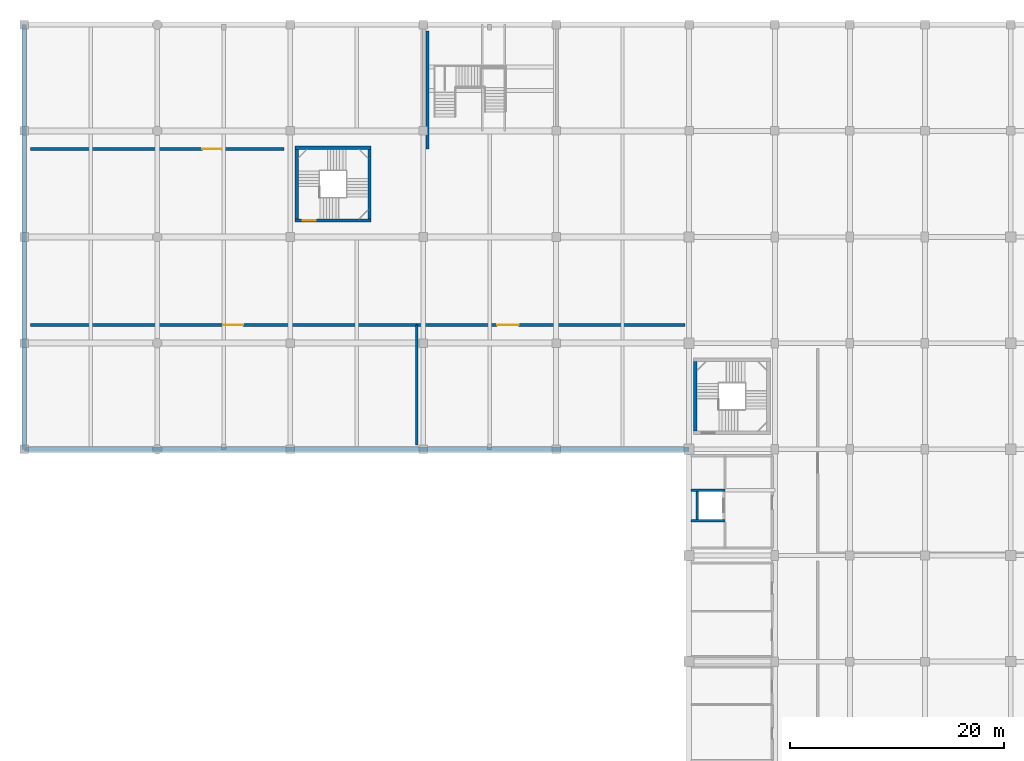
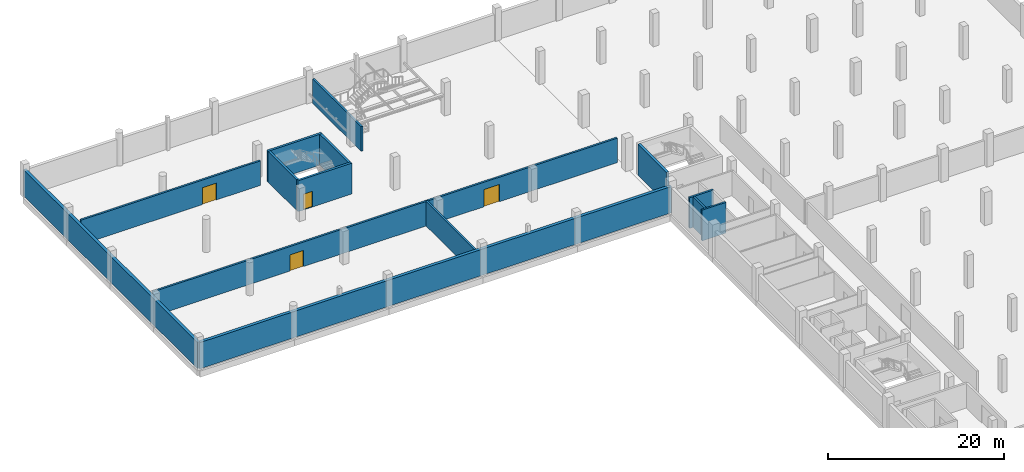
# One storey, part 12 of 32: 15 walls, 4 doors, 4 openings.
"""IFC4 building model written with IfcOpenShell, lengths in metres."""

from ifc_helpers import new_model, si_unit, direction, frame, frame_2d, origin, place, context, subcontext, project, spatial, rectangle, extrude, material, layer, layer_set, type_object, element, fill, save


model = new_model("IFC4")

# Units and contexts
model_context = context("Model", 3, precision=1e-05, world=origin(), true_north=direction((0.0, 1.0)))
body_context = subcontext(model_context, "Body", "Model", "MODEL_VIEW")
ifc_project = project(units=[si_unit("LENGTHUNIT", "METRE"), si_unit("AREAUNIT", "SQUARE_METRE"), si_unit("VOLUMEUNIT", "CUBIC_METRE"), si_unit("PLANEANGLEUNIT", "RADIAN"), si_unit("MASSUNIT", "GRAM", prefix="KILO")], contexts=[model_context])

# Site, building, storey
site_placement = place(None, origin())
site = spatial("IfcSite", under=ifc_project, at=site_placement, CompositionType="ELEMENT")
building_placement = place(site_placement, origin())
building = spatial("IfcBuilding", under=site, at=building_placement, Name="Sillaruma Civic Art Gallery", CompositionType="ELEMENT")
storey_placement = place(building_placement, frame((0.0, 0.0, -4.590087890625)))
storey = spatial("IfcBuildingStorey", under=building, at=storey_placement, Name="B01", CompositionType="ELEMENT", Elevation=-4.590087890625)

# Wall, opening, door
ifc_material_1 = material(Name="Concrete H40 (40 MPa)", Category="concrete")
ifc_layer_1 = layer(ifc_material_1, 0.300048828125, Name="Concrete H40 (40 MPa)")
ifc_layer_set_1 = layer_set([ifc_layer_1], Name="Concrete H40 (40 MPa)")
wall_type_1 = type_object("IfcWallType", Name="WAL-CORE-300", PredefinedType="SHEAR", material=ifc_layer_set_1)
wall_1_placement = place(storey_placement, frame((25.260009765625, 100.550048828125, 0.0), z_axis=(0.0, 0.0, 1.0), x_axis=(1.0, 0.0, 0.0)))
wall_1 = element("IfcWall", 1, at=wall_1_placement, inside=storey, type_object=wall_type_1, Name="Stair Core Shear Wall W-CORE-300 (ST-01:B01:S)", PredefinedType="SHEAR", context=body_context, shape_type="SweptSolid", body=[
    extrude(rectangle(XDim=7.080078125, YDim=0.300048828125, at=frame_2d((3.5400390625, 0.0))), origin(), (0.0, 0.0, 1.0), 4.2900390625),
])
opening_1_placement = place(wall_1_placement, frame((0.719970703125, 0.0, 0.0)))
opening_1 = element("IfcOpeningElement", 2, at=opening_1_placement, cuts=wall_1, Name="Opening D-STAIR", PredefinedType="OPENING", context=body_context, shape_type="SweptSolid", body=[
    extrude(rectangle(XDim=1.199951171875, YDim=2.199951171875, at=frame_2d((0.60009765625, 1.10009765625))), frame((0.0, 0.159912109375, 0.0), z_axis=(0.0, -1.0, 0.0), x_axis=(1.0, 0.0, 0.0)), (0.0, 0.0, 1.0), 0.320068359375),
])
ifc_material_2 = material(Name="Galvanised Steel ASTM A653 Gr.50", Category="steel")
door_type_1 = type_object("IfcDoorType", Name="DOR-STAIR-120", OperationType="NOTDEFINED", PredefinedType="DOOR", material=ifc_material_2)
door_1_placement = place(opening_1_placement, origin())
door_1 = element("IfcDoor", 3, at=door_1_placement, inside=storey, type_object=door_type_1, Name="Protected Stair Fire Door (ST-01:B01)", OperationType="SINGLE_SWING_LEFT", OverallHeight=2.199951171875, OverallWidth=1.199951171875, PredefinedType="DOOR", context=body_context, shape_type="SweptSolid", body=[
    extrude(rectangle(XDim=1.199951171875, YDim=2.199951171875, at=frame_2d((0.60009765625, 1.10009765625))), frame((0.0, 0.02490234375, 0.0), z_axis=(0.0, -1.0, 0.0), x_axis=(1.0, 0.0, 0.0)), (0.0, 0.0, 1.0), 0.050048828125),
])
fill(opening_1, door_1)

# Walls
wall_2_placement = place(storey_placement, frame((25.260009765625, 107.330078125, 0.0), z_axis=(0.0, 0.0, 1.0), x_axis=(1.0, 0.0, 0.0)))
element("IfcWall", 4, at=wall_2_placement, inside=storey, type_object=wall_type_1, Name="Stair Core Shear Wall W-CORE-300 (ST-01:B01:N)", PredefinedType="SHEAR", context=body_context, shape_type="SweptSolid", body=[
    extrude(rectangle(XDim=7.080078125, YDim=0.300048828125, at=frame_2d((3.5400390625, 0.0))), origin(), (0.0, 0.0, 1.0), 4.2900390625),
])
for number, where, z_axis, x_axis, name in (
    (5, (25.409912109375, 100.699951171875, 0.0), (0.0, 0.0, 1.0), (0.0, 1.0, 0.0), "Stair Core Shear Wall W-CORE-300 (ST-01:B01:W)"),
    (6, (32.18994140625, 100.699951171875, 0.0), (0.0, 0.0, 1.0), (0.0, 1.0, 0.0), "Stair Core Shear Wall W-CORE-300 (ST-01:B01:E)"),
):
    element("IfcWall", number, at=place(storey_placement, frame(where, z_axis=z_axis, x_axis=x_axis)), inside=storey, type_object=wall_type_1, Name=name, PredefinedType="SHEAR", context=body_context, shape_type="SweptSolid", body=[
        extrude(rectangle(XDim=6.47998046875, YDim=0.300048828125, at=frame_2d((3.239990234375, 0.0))), origin(), (0.0, 0.0, 1.0), 4.2900390625),
    ])
ifc_layer_2 = layer(ifc_material_1, 0.35009765625, Name="Concrete H40 (40 MPa)")
ifc_layer_set_2 = layer_set([ifc_layer_2], Name="Concrete H40 (40 MPa)")
wall_type_2 = type_object("IfcWallType", Name="WAL-CORE-350", PredefinedType="SHEAR", material=ifc_layer_set_2)
wall_3_placement = place(storey_placement, frame((62.5849609375, 80.909912109375, 0.0), z_axis=(0.0, 0.0, 1.0), x_axis=(0.0, 1.0, 0.0)))
element("IfcWall", 7, at=wall_3_placement, inside=storey, type_object=wall_type_2, Name="Stair Core Shear Wall W-CORE-350 (ST-02:B01:W)", PredefinedType="SHEAR", context=body_context, shape_type="SweptSolid", body=[
    extrude(rectangle(XDim=6.47998046875, YDim=0.35009765625, at=frame_2d((3.239990234375, 0.0))), origin(), (0.0, 0.0, 1.0), 4.2900390625),
])
ifc_layer_3 = layer(ifc_material_1, 0.39990234375, Name="Concrete H40 (40 MPa)")
ifc_layer_set_3 = layer_set([ifc_layer_3], Name="Concrete H40 (40 MPa)")
wall_type_3 = type_object("IfcWallType", Name="WAL-RET-400", PredefinedType="USERDEFINED", material=ifc_layer_set_3)
wall_4_placement = place(storey_placement, frame((0.0, 118.800048828125, 0.0), z_axis=(0.0, 0.0, 1.0), x_axis=(0.0, -1.0, 0.0)))
element("IfcWall", 8, at=wall_4_placement, inside=storey, type_object=wall_type_3, Name="Exterior Wall W-RET-400 (RET-B01-06)", ObjectType="RETAININGWALL", PredefinedType="USERDEFINED", context=body_context, shape_type="SweptSolid", body=[
    extrude(rectangle(XDim=39.60009765625, YDim=0.39990234375, at=frame_2d((19.800048828125, 0.0))), origin(), (0.0, 0.0, 1.0), 3.64013671875),
])
wall_5_placement = place(storey_placement, frame((0.0, 79.199951171875, 0.0), z_axis=(0.0, 0.0, 1.0), x_axis=(1.0, 0.0, 0.0)))
element("IfcWall", 9, at=wall_5_placement, inside=storey, type_object=wall_type_3, Name="Exterior Wall W-RET-400 (RET-B01-07)", ObjectType="RETAININGWALL", PredefinedType="USERDEFINED", context=body_context, shape_type="SweptSolid", body=[
    extrude(rectangle(XDim=62.0, YDim=0.39990234375, at=frame_2d((31.0, 0.0))), origin(), (0.0, 0.0, 1.0), 3.64013671875),
])
ifc_layer_4 = layer(ifc_material_1, 0.25, Name="Concrete H40 (40 MPa)")
ifc_layer_set_4 = layer_set([ifc_layer_4], Name="Concrete H40 (40 MPa)")
wall_type_4 = type_object("IfcWallType", Name="WAL-SHAFT-250", PredefinedType="SOLIDWALL", material=ifc_layer_set_4)
for number, where, z_axis, x_axis, name in (
    (10, (62.199951171875, 72.52490234375, 0.0), (0.0, 0.0, 1.0), (1.0, 0.0, 0.0), "Lift Shaft Wall W-SHAFT-250 (FFL-01:B01:S)"),
    (11, (62.199951171875, 75.375, 0.0), (0.0, 0.0, 1.0), (1.0, 0.0, 0.0), "Lift Shaft Wall W-SHAFT-250 (FFL-01:B01:N)"),
):
    element("IfcWall", number, at=place(storey_placement, frame(where, z_axis=z_axis, x_axis=x_axis)), inside=storey, type_object=wall_type_4, Name=name, PredefinedType="SOLIDWALL", context=body_context, shape_type="SweptSolid", body=[
        extrude(rectangle(XDim=3.150146484375, YDim=0.25, at=frame_2d((1.5751953125, 0.0))), origin(), (0.0, 0.0, 1.0), 4.27001953125),
    ])
wall_6_placement = place(storey_placement, frame((62.77490234375, 72.64990234375, 0.0), z_axis=(0.0, 0.0, 1.0), x_axis=(0.0, 1.0, 0.0)))
element("IfcWall", 12, at=wall_6_placement, inside=storey, type_object=wall_type_4, Name="Lift Shaft Wall W-SHAFT-250 (FFL-01:B01:W)", PredefinedType="SOLIDWALL", context=body_context, shape_type="SweptSolid", body=[
    extrude(rectangle(XDim=2.60009765625, YDim=0.25, at=frame_2d((1.300048828125, 0.0))), origin(), (0.0, 0.0, 1.0), 4.27001953125),
])

# Wall, opening, door
ifc_material_3 = material(Name="Concrete Masonry Unit Grade M15", Category="masonry")
ifc_layer_5 = layer(ifc_material_3, 0.2548828125, Name="Concrete Masonry Unit Grade M15")
ifc_layer_set_5 = layer_set([ifc_layer_5], Name="Concrete Masonry Unit Grade M15")
wall_type_5 = type_object("IfcWallType", Name="WAL-STORE-250", PredefinedType="SOLIDWALL", material=ifc_layer_set_5)
wall_7_placement = place(storey_placement, frame((0.60009765625, 90.800048828125, 0.0), z_axis=(0.0, 0.0, 1.0), x_axis=(1.0, 0.0, 0.0)))
wall_7 = element("IfcWall", 13, at=wall_7_placement, inside=storey, type_object=wall_type_5, Name="Interior Wall W-STORE-250 (B01-PLTW)", PredefinedType="SOLIDWALL", context=body_context, shape_type="SweptSolid", body=[
    extrude(rectangle(XDim=36.0, YDim=0.2548828125, at=frame_2d((18.0, 0.0))), origin(), (0.0, 0.0, 1.0), 3.41015625),
])
opening_2_placement = place(wall_7_placement, frame((18.0, 0.0, 0.0)))
opening_2 = element("IfcOpeningElement", 14, at=opening_2_placement, cuts=wall_7, Name="Opening D-PLANT", PredefinedType="OPENING", context=body_context, shape_type="SweptSolid", body=[
    extrude(rectangle(XDim=1.800048828125, YDim=2.25, at=frame_2d((0.89990234375, 1.125))), frame((0.0, 0.137451171875, 0.0), z_axis=(0.0, -1.0, 0.0), x_axis=(1.0, 0.0, 0.0)), (0.0, 0.0, 1.0), 0.27490234375),
])
door_type_2 = type_object("IfcDoorType", Name="DOR-PLANT-180", OperationType="NOTDEFINED", PredefinedType="DOOR", material=ifc_material_2)
door_2_placement = place(opening_2_placement, origin())
door_2 = element("IfcDoor", 15, at=door_2_placement, inside=storey, type_object=door_type_2, Name="Transformer Substation Plant Room Door (D-PLANT)", OperationType="DOUBLE_DOOR_SINGLE_SWING", OverallHeight=2.25, OverallWidth=1.800048828125, PredefinedType="DOOR", context=body_context, shape_type="SweptSolid", body=[
    extrude(rectangle(XDim=1.800048828125, YDim=2.25, at=frame_2d((0.89990234375, 1.125))), frame((0.0, 0.02490234375, 0.0), z_axis=(0.0, -1.0, 0.0), x_axis=(1.0, 0.0, 0.0)), (0.0, 0.0, 1.0), 0.050048828125),
])
fill(opening_2, door_2)

# Wall
wall_8_placement = place(storey_placement, frame((36.60009765625, 79.60009765625, 0.0), z_axis=(0.0, 0.0, 1.0), x_axis=(0.0, 1.0, 0.0)))
element("IfcWall", 16, at=wall_8_placement, inside=storey, type_object=wall_type_5, Name="Interior Wall W-STORE-250 (B01-PLTW)", PredefinedType="SOLIDWALL", context=body_context, shape_type="SweptSolid", body=[
    extrude(rectangle(XDim=11.199951171875, YDim=0.2548828125, at=frame_2d((5.60009765625, 0.0))), origin(), (0.0, 0.0, 1.0), 3.41015625),
])

# Wall, opening, door
wall_9_placement = place(storey_placement, frame((36.60009765625, 90.800048828125, 0.0), z_axis=(0.0, 0.0, 1.0), x_axis=(1.0, 0.0, 0.0)))
wall_9 = element("IfcWall", 17, at=wall_9_placement, inside=storey, type_object=wall_type_5, Name="Interior Wall W-STORE-250 (B01-STRW1)", PredefinedType="SOLIDWALL", context=body_context, shape_type="SweptSolid", body=[
    extrude(rectangle(XDim=25.0, YDim=0.2548828125, at=frame_2d((12.5, 0.0))), origin(), (0.0, 0.0, 1.0), 3.41015625),
])
opening_3_placement = place(wall_9_placement, frame((7.5, 0.0, 0.0)))
opening_3 = element("IfcOpeningElement", 18, at=opening_3_placement, cuts=wall_9, Name="Opening D-STORE", PredefinedType="OPENING", context=body_context, shape_type="SweptSolid", body=[
    extrude(rectangle(XDim=2.0, YDim=2.39990234375, at=frame_2d((1.0, 1.199951171875))), frame((0.0, 0.137451171875, 0.0), z_axis=(0.0, -1.0, 0.0), x_axis=(1.0, 0.0, 0.0)), (0.0, 0.0, 1.0), 0.27490234375),
])
door_type_3 = type_object("IfcDoorType", Name="DOR-STORE-200", OperationType="NOTDEFINED", PredefinedType="DOOR", material=ifc_material_2)
door_3_placement = place(opening_3_placement, origin())
door_3 = element("IfcDoor", 19, at=door_3_placement, inside=storey, type_object=door_type_3, Name="Compact Rack Art Store West Door (D-STORE)", OperationType="DOUBLE_DOOR_SINGLE_SWING", OverallHeight=2.39990234375, OverallWidth=2.0, PredefinedType="DOOR", context=body_context, shape_type="SweptSolid", body=[
    extrude(rectangle(XDim=2.0, YDim=2.39990234375, at=frame_2d((1.0, 1.199951171875))), frame((0.0, 0.02490234375, 0.0), z_axis=(0.0, -1.0, 0.0), x_axis=(1.0, 0.0, 0.0)), (0.0, 0.0, 1.0), 0.050048828125),
])
fill(opening_3, door_3)

wall_10_placement = place(storey_placement, frame((0.60009765625, 107.199951171875, 0.0), z_axis=(0.0, 0.0, 1.0), x_axis=(1.0, 0.0, 0.0)))
wall_10 = element("IfcWall", 20, at=wall_10_placement, inside=storey, type_object=wall_type_5, Name="Interior Wall W-STORE-250 (B01-STRW2)", PredefinedType="SOLIDWALL", context=body_context, shape_type="SweptSolid", body=[
    extrude(rectangle(XDim=23.599853515625, YDim=0.2548828125, at=frame_2d((11.7998046875, 0.0))), origin(), (0.0, 0.0, 1.0), 3.41015625),
])
opening_4_placement = place(wall_10_placement, frame((16.0, 0.0, 0.0)))
opening_4 = element("IfcOpeningElement", 21, at=opening_4_placement, cuts=wall_10, Name="Opening D-STR18", PredefinedType="OPENING", context=body_context, shape_type="SweptSolid", body=[
    extrude(rectangle(XDim=1.800048828125, YDim=2.35009765625, at=frame_2d((0.89990234375, 1.175048828125))), frame((0.0, 0.137451171875, 0.0), z_axis=(0.0, -1.0, 0.0), x_axis=(1.0, 0.0, 0.0)), (0.0, 0.0, 1.0), 0.27490234375),
])
door_type_4 = type_object("IfcDoorType", Name="DOR-STORE-180", OperationType="NOTDEFINED", PredefinedType="DOOR", material=ifc_material_2)
door_4_placement = place(opening_4_placement, origin())
door_4 = element("IfcDoor", 22, at=door_4_placement, inside=storey, type_object=door_type_4, Name="Conservation Prep Studio Door (D-STR18)", OperationType="DOUBLE_DOOR_SINGLE_SWING", OverallHeight=2.35009765625, OverallWidth=1.800048828125, PredefinedType="DOOR", context=body_context, shape_type="SweptSolid", body=[
    extrude(rectangle(XDim=1.800048828125, YDim=2.35009765625, at=frame_2d((0.89990234375, 1.175048828125))), frame((0.0, 0.02490234375, 0.0), z_axis=(0.0, -1.0, 0.0), x_axis=(1.0, 0.0, 0.0)), (0.0, 0.0, 1.0), 0.050048828125),
])
fill(opening_4, door_4)

# Wall
wall_11_placement = place(storey_placement, frame((37.60009765625, 107.199951171875, 0.0), z_axis=(0.0, 0.0, 1.0), x_axis=(0.0, 1.0, 0.0)))
element("IfcWall", 23, at=wall_11_placement, inside=storey, type_object=wall_type_5, Name="Interior Wall W-STORE-250 (B01-STRW2)", PredefinedType="SOLIDWALL", context=body_context, shape_type="SweptSolid", body=[
    extrude(rectangle(XDim=11.0, YDim=0.2548828125, at=frame_2d((5.5, 0.0))), origin(), (0.0, 0.0, 1.0), 3.41015625),
])

save(model, "model.ifc")
